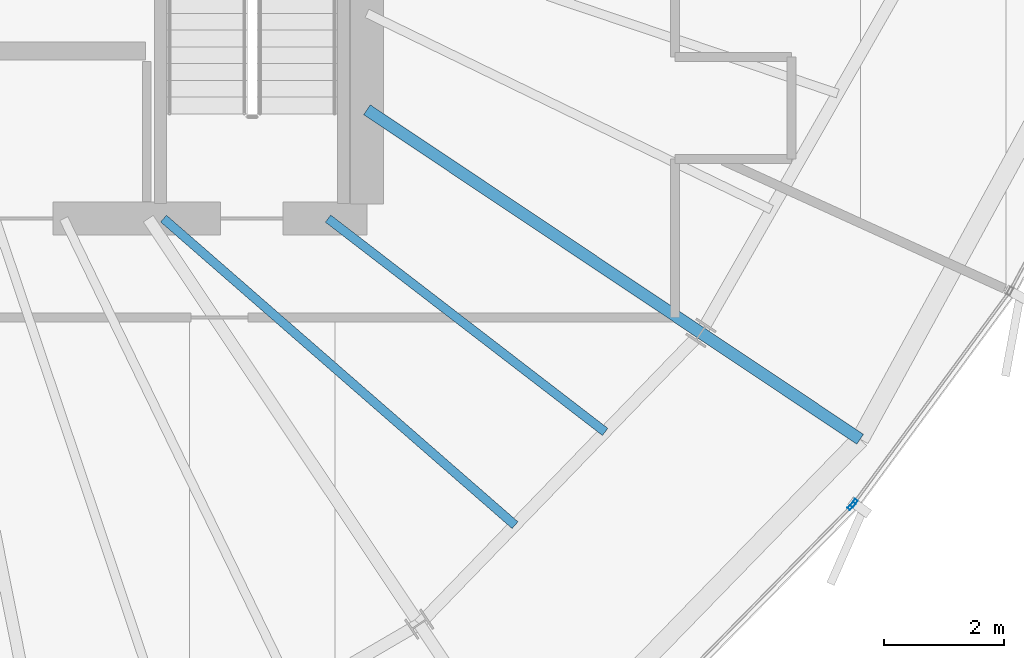
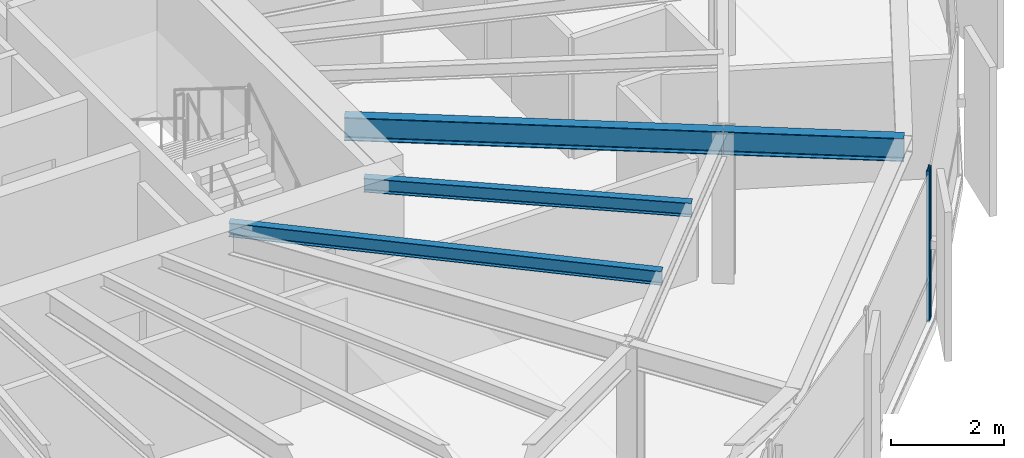
# One storey, part 15 of 37: 4 beams, 2 members, 2 elements without a shape of their own.
"""IFC4 building model written with IfcOpenShell, lengths in metres."""

from ifc_helpers import new_model, si_unit, direction, frame, origin, origin_2d, place, context, subcontext, project, spatial, hollow_rectangle, i_section, extrude, source, transform, mapped, material, layer, layer_set, material_profile, profile_set, type_object, element, aggregate, save


model = new_model("IFC4")

# Units and contexts
model_context = context("Model", 3, precision=1e-05, world=origin(), true_north=direction((0.0, 1.0)))
body_context = subcontext(model_context, "Body", "Model", "MODEL_VIEW")
ifc_project = project(units=[si_unit("LENGTHUNIT", "METRE"), si_unit("AREAUNIT", "SQUARE_METRE"), si_unit("VOLUMEUNIT", "CUBIC_METRE"), si_unit("PLANEANGLEUNIT", "RADIAN"), si_unit("MASSUNIT", "GRAM", prefix="KILO"), si_unit("THERMODYNAMICTEMPERATUREUNIT", "KELVIN")], contexts=[model_context])

# Site, building, storey
site_placement = place(None, origin())
site = spatial("IfcSite", under=ifc_project, at=site_placement, CompositionType="ELEMENT")
building_placement = place(site_placement, origin())
building = spatial("IfcBuilding", under=site, at=building_placement, Name="Kethvar Cultural Tower", CompositionType="ELEMENT")
storey_placement = place(building_placement, frame((0.0, 0.0, 200.89990234375)))
storey = spatial("IfcBuildingStorey", under=building, at=storey_placement, Name="L52", CompositionType="ELEMENT", Elevation=200.89990234375)

# Beams
ifc_material_1 = material(Name="Steel S355J2", Category="steel")
ifc_material_profile_1 = material_profile(ifc_material_1, i_section(OverallWidth=0.199951171875, OverallDepth=0.5, WebThickness=0.01025390625, FlangeThickness=0.01611328125, FilletRadius=0.02099609375, at=origin_2d()), Name="Steel S355J2 — IPE500")
ifc_profile_set_1 = profile_set([ifc_material_profile_1], Name="Steel S355J2 — IPE500")
beam_type_1 = type_object("IfcBeamType", Name="BM-IPE500", PredefinedType="BEAM", material=ifc_profile_set_1)
shared_shape_1 = source(origin(), body_context, "Body", "SweptSolid", [
    extrude(i_section(OverallWidth=0.199951171875, OverallDepth=0.5, WebThickness=0.01025390625, FlangeThickness=0.01611328125, FilletRadius=0.02099609375, at=origin_2d()), origin(), (0.0, 0.0, 1.0), 3.199951171875),
])
beam_1_placement = place(storey_placement, frame((61.1826171875, 18.18994140625, 3.008056640625), z_axis=(0.831462943996, -0.555580212716, 0.0), x_axis=(0.555580212716, 0.831462943996, 0.0)))
element("IfcBeam", 1, at=beam_1_placement, inside=storey, type_object=beam_type_1, Name="L52 Perimeter Cantilever Beam RC-15", PredefinedType="BEAM", context=body_context, shape_type="MappedRepresentation", body=[
    mapped(shared_shape_1, transform((0.0, 0.0, 0.0), scale=1.0)),
])
shared_shape_2 = source(origin(), body_context, "Body", "SweptSolid", [
    extrude(i_section(OverallWidth=0.199951171875, OverallDepth=0.5, WebThickness=0.01025390625, FlangeThickness=0.01611328125, FilletRadius=0.02099609375, at=origin_2d()), origin(), (0.0, 0.0, 1.0), 6.7138671875),
])
beam_2_placement = place(storey_placement, frame((55.60009765625, 21.919921875, 3.008056640625), z_axis=(0.831479232731, -0.555555834762, 0.0), x_axis=(0.555555834762, 0.831479232731, 0.0)))
element("IfcBeam", 2, at=beam_2_placement, inside=storey, type_object=beam_type_1, Name="L52 Primary Radial Beam RB-15", PredefinedType="BEAM", context=body_context, shape_type="MappedRepresentation", body=[
    mapped(shared_shape_2, transform((0.0, 0.0, 0.0), scale=1.0)),
])
ifc_material_profile_2 = material_profile(ifc_material_1, i_section(OverallWidth=0.14990234375, OverallDepth=0.300048828125, WebThickness=0.007080078125, FlangeThickness=0.0107421875, FilletRadius=0.014892578125, at=origin_2d()), Name="Steel S355J2 — IPE300")
ifc_profile_set_2 = profile_set([ifc_material_profile_2], Name="Steel S355J2 — IPE300")
beam_type_2 = type_object("IfcBeamType", Name="BM-J300", PredefinedType="JOIST", material=ifc_profile_set_2)
shared_shape_3 = source(origin(), body_context, "Body", "SweptSolid", [
    extrude(i_section(OverallWidth=0.14990234375, OverallDepth=0.300048828125, WebThickness=0.007080078125, FlangeThickness=0.0107421875, FilletRadius=0.014892578125, at=origin_2d()), origin(), (0.0, 0.0, 1.0), 7.7958984375),
])
beam_3_placement = place(storey_placement, frame((52.199951171875, 20.10009765625, 3.108154296875), z_axis=(0.753673681644, -0.657248797335, 0.0), x_axis=(0.657248797335, 0.753673681644, 0.0)))
element("IfcBeam", 3, at=beam_3_placement, inside=storey, type_object=beam_type_2, Name="L52 Composite Floor Joist J-14A", PredefinedType="JOIST", context=body_context, shape_type="MappedRepresentation", body=[
    mapped(shared_shape_3, transform((0.0, 0.0, 0.0), scale=1.0)),
])
shared_shape_4 = source(origin(), body_context, "Body", "SweptSolid", [
    extrude(i_section(OverallWidth=0.14990234375, OverallDepth=0.300048828125, WebThickness=0.007080078125, FlangeThickness=0.0107421875, FilletRadius=0.014892578125, at=origin_2d()), origin(), (0.0, 0.0, 1.0), 5.84521484375),
])
beam_4_placement = place(storey_placement, frame((54.949951171875, 20.10009765625, 3.108154296875), z_axis=(0.792398798307, -0.610003397073, 0.0), x_axis=(0.610003397073, 0.792398798307, 0.0)))
element("IfcBeam", 4, at=beam_4_placement, inside=storey, type_object=beam_type_2, Name="L52 Composite Floor Joist J-14B", PredefinedType="JOIST", context=body_context, shape_type="MappedRepresentation", body=[
    mapped(shared_shape_4, transform((0.0, 0.0, 0.0), scale=1.0)),
])

# Curtain wall, member
ifc_material_2 = material(Name="Aluminium 6063-T6", Category="aluminium")
ifc_layer = layer(ifc_material_2, 0.179931640625, Name="Aluminium 6063-T6", Category="aluminium")
ifc_layer_set = layer_set([ifc_layer], Name="Aluminium 6063-T6 (180 mm)")
curtain_wall_type = type_object("IfcCurtainWallType", Name="CW-SYS-04-Z34", PredefinedType="NOTDEFINED", material=ifc_layer_set)
curtain_wall_1_placement = place(storey_placement, origin())
curtain_wall_1 = element("IfcCurtainWall", 5, at=curtain_wall_1_placement, inside=storey, type_object=curtain_wall_type, Name="L52 Curtain Wall Run 05", PredefinedType="NOTDEFINED")
ifc_material_profile_3 = material_profile(ifc_material_2, hollow_rectangle(XDim=0.06005859375, YDim=0.139892578125, WallThickness=0.0048828125, at=origin_2d()), Name="Aluminium 6063-T6 — RHS140x60x5")
ifc_profile_set_3 = profile_set([ifc_material_profile_3], Name="Aluminium 6063-T6 — RHS140x60x5")
member_type = type_object("IfcMemberType", Name="CW-SYS-04-Z34-MUL", PredefinedType="MULLION", material=ifc_profile_set_3)
shared_shape_5 = source(origin(), body_context, "Body", "SweptSolid", [
    extrude(hollow_rectangle(XDim=0.06005859375, YDim=0.139892578125, WallThickness=0.0048828125, at=origin_2d()), origin(), (0.0, 0.0, 1.0), 3.260009765625),
])
member_1_placement = place(storey_placement, frame((63.69970703125, 15.2958984375, 0.0), z_axis=(0.0, 0.0, 1.0), x_axis=(-0.713177046197, 0.700983951869, 0.0)))
member_1 = element("IfcMember", 6, at=member_1_placement, type_object=member_type, Name="CW-L52-R05 Mullion 7", PredefinedType="MULLION", context=body_context, shape_type="MappedRepresentation", body=[
    mapped(shared_shape_5, transform((0.0, 0.0, 0.0), scale=1.0)),
])
aggregate(curtain_wall_1, [member_1])

curtain_wall_2_placement = place(storey_placement, origin())
curtain_wall_2 = element("IfcCurtainWall", 7, at=curtain_wall_2_placement, inside=storey, type_object=curtain_wall_type, Name="L52 Curtain Wall Run 06", PredefinedType="NOTDEFINED")
member_2_placement = place(storey_placement, frame((63.739990234375, 15.34326171875, 0.0), z_axis=(0.0, 0.0, 1.0), x_axis=(-0.805566491631, 0.592505381884, 0.0)))
member_2 = element("IfcMember", 8, at=member_2_placement, type_object=member_type, Name="CW-L52-R06 Mullion 1", PredefinedType="MULLION", context=body_context, shape_type="MappedRepresentation", body=[
    mapped(shared_shape_5, transform((0.0, 0.0, 0.0), scale=1.0)),
])
aggregate(curtain_wall_2, [member_2])

save(model, "model.ifc")
